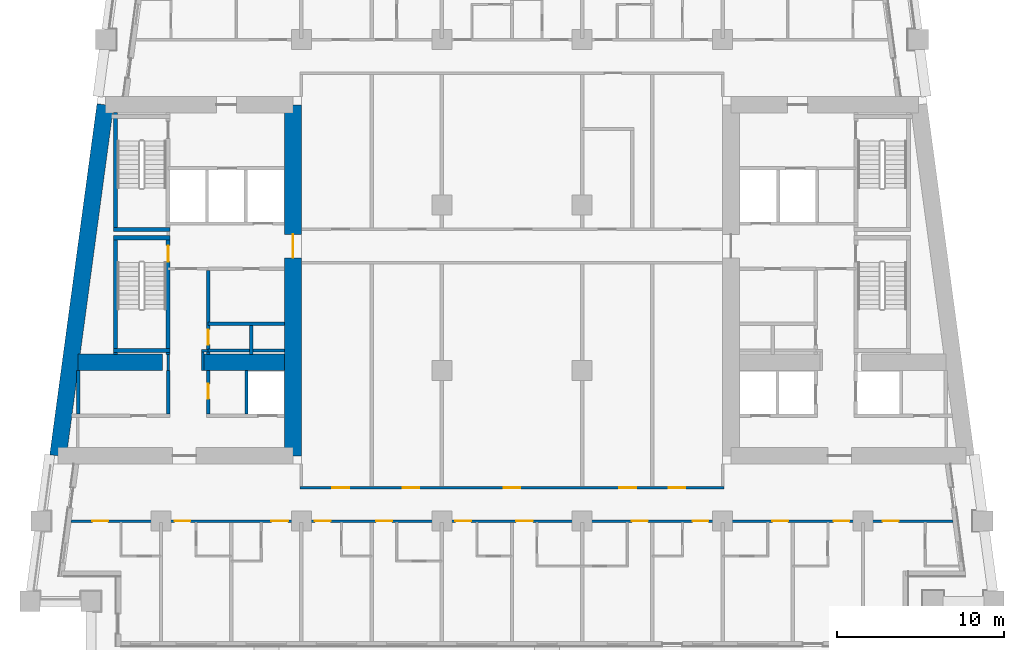
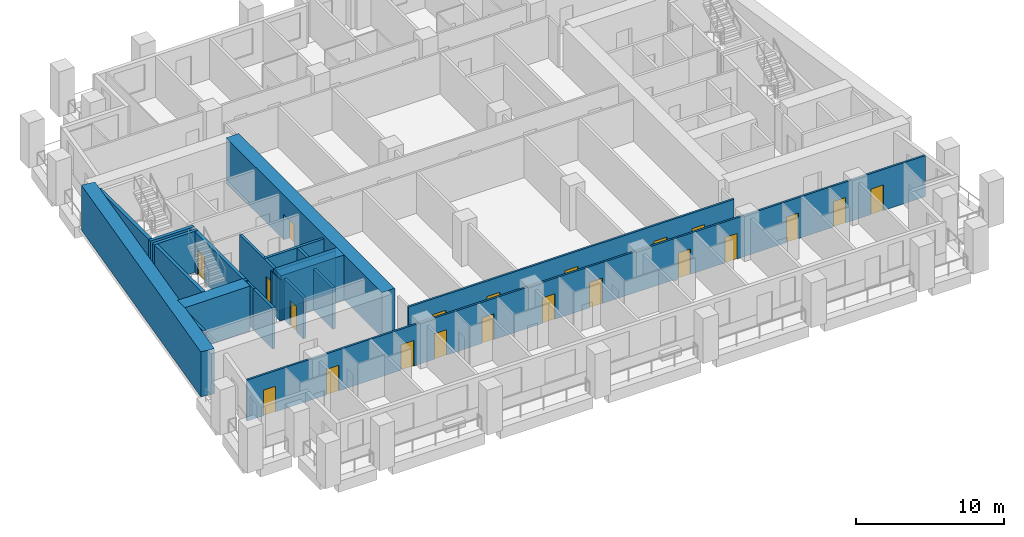
# One storey, part 4 of 14: 23 walls, 21 doors, 21 openings.
"""IFC4 building model written with IfcOpenShell, lengths in metres."""

from ifc_helpers import new_model, si_unit, direction, frame, frame_2d, origin, place, context, subcontext, project, spatial, rectangle, extrude, material, layer, layer_set, type_object, element, fill, save


model = new_model("IFC4")

# Units and contexts
model_context = context("Model", 3, precision=1e-05, world=origin(), true_north=direction((0.0, 1.0)))
body_context = subcontext(model_context, "Body", "Model", "MODEL_VIEW")
ifc_project = project(units=[si_unit("LENGTHUNIT", "METRE"), si_unit("AREAUNIT", "SQUARE_METRE"), si_unit("VOLUMEUNIT", "CUBIC_METRE"), si_unit("PLANEANGLEUNIT", "RADIAN"), si_unit("MASSUNIT", "GRAM", prefix="KILO")], contexts=[model_context])

# Site, building, storey
site_placement = place(None, origin())
site = spatial("IfcSite", under=ifc_project, at=site_placement, CompositionType="ELEMENT")
building_placement = place(site_placement, origin())
building = spatial("IfcBuilding", under=site, at=building_placement, Name="Candeia Pilgrim Tower and Theatre", CompositionType="ELEMENT")
storey_placement = place(building_placement, frame((0.0, 0.0, 124.300048828125)))
storey = spatial("IfcBuildingStorey", under=building, at=storey_placement, Name="L29", CompositionType="ELEMENT", Elevation=124.300048828125)

# Wall, opening, door
ifc_material_1 = material(Name="Concrete C70/85", Category="concrete")
ifc_layer_1 = layer(ifc_material_1, 1.0)
ifc_layer_set_1 = layer_set([ifc_layer_1], Name="Core wall 1000 C70/85")
wall_type_1 = type_object("IfcWallType", Name="Core wall 1000 C70/85", PredefinedType="SHEAR", material=ifc_layer_set_1)
wall_1_placement = place(storey_placement, frame((100.300048828125, 131.89990234375, 0.0), z_axis=(0.0, 0.0, 1.0), x_axis=(0.0, -1.0, 0.0)))
wall_1 = element("IfcWall", 1, at=wall_1_placement, inside=storey, type_object=wall_type_1, Name="Core wall W2", PredefinedType="SHEAR", context=body_context, shape_type="SweptSolid", body=[
    extrude(rectangle(XDim=21.0, YDim=1.0, at=frame_2d((10.5, 0.0))), origin(), (0.0, 0.0, 1.0), 3.699951171875),
])
opening_1_placement = place(wall_1_placement, frame((7.75, 0.0, 0.0)))
opening_1 = element("IfcOpeningElement", 2, at=opening_1_placement, cuts=wall_1, Name="Opening L29-D068", PredefinedType="OPENING", context=body_context, shape_type="SweptSolid", body=[
    extrude(rectangle(XDim=1.39990234375, YDim=2.10009765625, at=frame_2d((0.699951171875, 1.050048828125))), frame((0.0, 0.510009765625, 0.0), z_axis=(0.0, -1.0, 0.0), x_axis=(1.0, 0.0, 0.0)), (0.0, 0.0, 1.0), 1.02001953125),
])
ifc_material_2 = material(Name="Steel fire door set", Category="steel")
door_type_1 = type_object("IfcDoorType", Name="D-1400-FD60", OperationType="NOTDEFINED", PredefinedType="DOOR", material=ifc_material_2)
door_1_placement = place(opening_1_placement, origin())
door_1 = element("IfcDoor", 3, at=door_1_placement, inside=storey, type_object=door_type_1, Name="Door L29-D068", OperationType="SINGLE_SWING_LEFT", OverallHeight=2.10009765625, OverallWidth=1.39990234375, PredefinedType="DOOR", context=body_context, shape_type="SweptSolid", body=[
    extrude(rectangle(XDim=1.39990234375, YDim=2.10009765625, at=frame_2d((0.699951171875, 1.050048828125))), frame((0.0, 0.02490234375, 0.0), z_axis=(0.0, -1.0, 0.0), x_axis=(1.0, 0.0, 0.0)), (0.0, 0.0, 1.0), 0.050048828125),
])
fill(opening_1, door_1)

# Walls
wall_2_placement = place(storey_placement, frame((86.240966796875, 110.89990234375, 0.0), z_axis=(0.0, 0.0, 1.0), x_axis=(0.133411141623, 0.991060778808, 0.0)))
element("IfcWall", 4, at=wall_2_placement, inside=storey, type_object=wall_type_1, Name="Core wall W4", PredefinedType="SHEAR", context=body_context, shape_type="SweptSolid", body=[
    extrude(rectangle(XDim=21.189453125, YDim=1.0, at=frame_2d((10.5947265625, 0.0))), origin(), (0.0, 0.0, 1.0), 3.699951171875),
])
wall_3_placement = place(storey_placement, frame((87.423095703125, 116.5, 0.0), z_axis=(0.0, 0.0, 1.0), x_axis=(1.0, 0.0, 0.0)))
element("IfcWall", 5, at=wall_3_placement, inside=storey, type_object=wall_type_1, Name="Core wall W5", PredefinedType="SHEAR", context=body_context, shape_type="SweptSolid", body=[
    extrude(rectangle(XDim=5.076904296875, YDim=1.0, at=frame_2d((2.53857421875, 0.0))), origin(), (0.0, 0.0, 1.0), 3.699951171875),
])
wall_4_placement = place(storey_placement, frame((94.89990234375, 116.5, 0.0), z_axis=(0.0, 0.0, 1.0), x_axis=(1.0, 0.0, 0.0)))
element("IfcWall", 6, at=wall_4_placement, inside=storey, type_object=wall_type_1, Name="Core wall W6", PredefinedType="SHEAR", context=body_context, shape_type="SweptSolid", body=[
    extrude(rectangle(XDim=4.900146484375, YDim=1.0, at=frame_2d((2.4501953125, 0.0))), origin(), (0.0, 0.0, 1.0), 3.699951171875),
])
ifc_material_3 = material(Name="Gypsum board partition on steel studs", Category="steel")
ifc_layer_2 = layer(ifc_material_3, 0.14990234375)
ifc_layer_set_2 = layer_set([ifc_layer_2], Name="PW-150 lobby wall")
wall_type_2 = type_object("IfcWallType", Name="PW-150 lobby wall", PredefinedType="PARTITIONING", material=ifc_layer_set_2)
wall_5_placement = place(storey_placement, frame((94.824951171875, 117.199951171875, 0.0), z_axis=(0.0, 0.0, 1.0), x_axis=(1.0, 0.0, 0.0)))
element("IfcWall", 7, at=wall_5_placement, inside=storey, type_object=wall_type_2, Name="Lobby wall L29-020", PredefinedType="PARTITIONING", context=body_context, shape_type="SweptSolid", body=[
    extrude(rectangle(XDim=0.402099609375, YDim=0.14990234375, at=frame_2d((0.201171875, 0.0))), origin(), (0.0, 0.0, 1.0), 3.3798828125),
])
wall_6_placement = place(storey_placement, frame((92.826904296875, 116.0, 0.0), z_axis=(0.0, 0.0, 1.0), x_axis=(0.0, 1.0, 0.0)))
element("IfcWall", 8, at=wall_6_placement, inside=storey, type_object=wall_type_2, Name="Lobby wall L29-061", PredefinedType="PARTITIONING", context=body_context, shape_type="SweptSolid", body=[
    extrude(rectangle(XDim=0.969970703125, YDim=0.14990234375, at=frame_2d((0.48486328125, 0.0))), origin(), (0.0, 0.0, 1.0), 3.3798828125),
])
wall_7_placement = place(storey_placement, frame((94.89990234375, 116.0, 0.0), z_axis=(0.0, 0.0, 1.0), x_axis=(0.0, 1.0, 0.0)))
element("IfcWall", 9, at=wall_7_placement, inside=storey, type_object=wall_type_2, Name="Lobby wall L29-067", PredefinedType="PARTITIONING", context=body_context, shape_type="SweptSolid", body=[
    extrude(rectangle(XDim=1.125, YDim=0.14990234375, at=frame_2d((0.5625, 0.0))), origin(), (0.0, 0.0, 1.0), 3.3798828125),
])

# Wall, openings, doors
ifc_layer_3 = layer(ifc_material_3, 0.14990234375)
ifc_layer_set_3 = layer_set([ifc_layer_3], Name="PW-150 unit wall")
wall_type_3 = type_object("IfcWallType", Name="PW-150 unit wall", PredefinedType="PARTITIONING", material=ifc_layer_set_3)
wall_8_placement = place(storey_placement, frame((87.017578125, 107.0, 0.0), z_axis=(0.0, 0.0, 1.0), x_axis=(1.0, 0.0, 0.0)))
wall_8 = element("IfcWall", 10, at=wall_8_placement, inside=storey, type_object=wall_type_3, Name="Unit wall L29-012", PredefinedType="PARTITIONING", context=body_context, shape_type="SweptSolid", body=[
    extrude(rectangle(XDim=52.7646484375, YDim=0.14990234375, at=frame_2d((26.38232421875, 0.0))), origin(), (0.0, 0.0, 1.0), 3.3798828125),
])
opening_2_placement = place(wall_8_placement, frame((1.2763671875, 0.0, 0.0)))
opening_2 = element("IfcOpeningElement", 11, at=opening_2_placement, cuts=wall_8, Name="Opening L29-D014", PredefinedType="OPENING", context=body_context, shape_type="SweptSolid", body=[
    extrude(rectangle(XDim=0.949951171875, YDim=2.10009765625, at=frame_2d((0.47509765625, 1.050048828125))), frame((0.0, 0.0849609375, 0.0), z_axis=(0.0, -1.0, 0.0), x_axis=(1.0, 0.0, 0.0)), (0.0, 0.0, 1.0), 0.169921875),
])
opening_3_placement = place(wall_8_placement, frame((6.1923828125, 0.0, 0.0)))
opening_3 = element("IfcOpeningElement", 12, at=opening_3_placement, cuts=wall_8, Name="Opening L29-D016", PredefinedType="OPENING", context=body_context, shape_type="SweptSolid", body=[
    extrude(rectangle(XDim=0.949951171875, YDim=2.10009765625, at=frame_2d((0.47509765625, 1.050048828125))), frame((0.0, 0.0849609375, 0.0), z_axis=(0.0, -1.0, 0.0), x_axis=(1.0, 0.0, 0.0)), (0.0, 0.0, 1.0), 0.169921875),
])
opening_4_placement = place(wall_8_placement, frame((11.982421875, 0.0, 0.0)))
opening_4 = element("IfcOpeningElement", 13, at=opening_4_placement, cuts=wall_8, Name="Opening L29-D018", PredefinedType="OPENING", context=body_context, shape_type="SweptSolid", body=[
    extrude(rectangle(XDim=1.0, YDim=2.10009765625, at=frame_2d((0.5, 1.050048828125))), frame((0.0, 0.0849609375, 0.0), z_axis=(0.0, -1.0, 0.0), x_axis=(1.0, 0.0, 0.0)), (0.0, 0.0, 1.0), 0.169921875),
])
opening_5_placement = place(wall_8_placement, frame((14.582275390625, 0.0, 0.0)))
opening_5 = element("IfcOpeningElement", 14, at=opening_5_placement, cuts=wall_8, Name="Opening L29-D020", PredefinedType="OPENING", context=body_context, shape_type="SweptSolid", body=[
    extrude(rectangle(XDim=0.949951171875, YDim=2.10009765625, at=frame_2d((0.47509765625, 1.050048828125))), frame((0.0, 0.0849609375, 0.0), z_axis=(0.0, -1.0, 0.0), x_axis=(1.0, 0.0, 0.0)), (0.0, 0.0, 1.0), 0.169921875),
])
opening_6_placement = place(wall_8_placement, frame((18.25732421875, 0.0, 0.0)))
opening_6 = element("IfcOpeningElement", 15, at=opening_6_placement, cuts=wall_8, Name="Opening L29-D022", PredefinedType="OPENING", context=body_context, shape_type="SweptSolid", body=[
    extrude(rectangle(XDim=0.949951171875, YDim=2.10009765625, at=frame_2d((0.47509765625, 1.050048828125))), frame((0.0, 0.0849609375, 0.0), z_axis=(0.0, -1.0, 0.0), x_axis=(1.0, 0.0, 0.0)), (0.0, 0.0, 1.0), 0.169921875),
])
opening_7_placement = place(wall_8_placement, frame((22.9921875, 0.0, 0.0)))
opening_7 = element("IfcOpeningElement", 16, at=opening_7_placement, cuts=wall_8, Name="Opening L29-D024", PredefinedType="OPENING", context=body_context, shape_type="SweptSolid", body=[
    extrude(rectangle(XDim=0.949951171875, YDim=2.10009765625, at=frame_2d((0.47509765625, 1.050048828125))), frame((0.0, 0.0849609375, 0.0), z_axis=(0.0, -1.0, 0.0), x_axis=(1.0, 0.0, 0.0)), (0.0, 0.0, 1.0), 0.169921875),
])
opening_8_placement = place(wall_8_placement, frame((26.63232421875, 0.0, 0.0)))
opening_8 = element("IfcOpeningElement", 17, at=opening_8_placement, cuts=wall_8, Name="Opening L29-D026", PredefinedType="OPENING", context=body_context, shape_type="SweptSolid", body=[
    extrude(rectangle(XDim=1.0, YDim=2.10009765625, at=frame_2d((0.5, 1.050048828125))), frame((0.0, 0.0849609375, 0.0), z_axis=(0.0, -1.0, 0.0), x_axis=(1.0, 0.0, 0.0)), (0.0, 0.0, 1.0), 0.169921875),
])
opening_9_placement = place(wall_8_placement, frame((33.557373046875, 0.0, 0.0)))
opening_9 = element("IfcOpeningElement", 18, at=opening_9_placement, cuts=wall_8, Name="Opening L29-D028", PredefinedType="OPENING", context=body_context, shape_type="SweptSolid", body=[
    extrude(rectangle(XDim=0.949951171875, YDim=2.10009765625, at=frame_2d((0.47509765625, 1.050048828125))), frame((0.0, 0.0849609375, 0.0), z_axis=(0.0, -1.0, 0.0), x_axis=(1.0, 0.0, 0.0)), (0.0, 0.0, 1.0), 0.169921875),
])
opening_10_placement = place(wall_8_placement, frame((37.182373046875, 0.0, 0.0)))
opening_10 = element("IfcOpeningElement", 19, at=opening_10_placement, cuts=wall_8, Name="Opening L29-D030", PredefinedType="OPENING", context=body_context, shape_type="SweptSolid", body=[
    extrude(rectangle(XDim=0.949951171875, YDim=2.10009765625, at=frame_2d((0.47509765625, 1.050048828125))), frame((0.0, 0.0849609375, 0.0), z_axis=(0.0, -1.0, 0.0), x_axis=(1.0, 0.0, 0.0)), (0.0, 0.0, 1.0), 0.169921875),
])
opening_11_placement = place(wall_8_placement, frame((41.957275390625, 0.0, 0.0)))
opening_11 = element("IfcOpeningElement", 20, at=opening_11_placement, cuts=wall_8, Name="Opening L29-D032", PredefinedType="OPENING", context=body_context, shape_type="SweptSolid", body=[
    extrude(rectangle(XDim=0.949951171875, YDim=2.10009765625, at=frame_2d((0.47509765625, 1.050048828125))), frame((0.0, 0.0849609375, 0.0), z_axis=(0.0, -1.0, 0.0), x_axis=(1.0, 0.0, 0.0)), (0.0, 0.0, 1.0), 0.169921875),
])
opening_12_placement = place(wall_8_placement, frame((45.622314453125, 0.0, 0.0)))
opening_12 = element("IfcOpeningElement", 21, at=opening_12_placement, cuts=wall_8, Name="Opening L29-D034", PredefinedType="OPENING", context=body_context, shape_type="SweptSolid", body=[
    extrude(rectangle(XDim=0.949951171875, YDim=2.10009765625, at=frame_2d((0.47509765625, 1.050048828125))), frame((0.0, 0.0849609375, 0.0), z_axis=(0.0, -1.0, 0.0), x_axis=(1.0, 0.0, 0.0)), (0.0, 0.0, 1.0), 0.169921875),
])
opening_13_placement = place(wall_8_placement, frame((48.560302734375, 0.0, 0.0)))
opening_13 = element("IfcOpeningElement", 22, at=opening_13_placement, cuts=wall_8, Name="Opening L29-D036", PredefinedType="OPENING", context=body_context, shape_type="SweptSolid", body=[
    extrude(rectangle(XDim=0.949951171875, YDim=2.10009765625, at=frame_2d((0.47509765625, 1.050048828125))), frame((0.0, 0.0849609375, 0.0), z_axis=(0.0, -1.0, 0.0), x_axis=(1.0, 0.0, 0.0)), (0.0, 0.0, 1.0), 0.169921875),
])
door_type_2 = type_object("IfcDoorType", Name="D-1000-FD30S", OperationType="NOTDEFINED", PredefinedType="DOOR", material=ifc_material_2)
door_2_placement = place(opening_4_placement, origin())
door_2 = element("IfcDoor", 23, at=door_2_placement, inside=storey, type_object=door_type_2, Name="Door L29-D018", OperationType="SINGLE_SWING_LEFT", OverallHeight=2.10009765625, OverallWidth=1.0, PredefinedType="DOOR", context=body_context, shape_type="SweptSolid", body=[
    extrude(rectangle(XDim=1.0, YDim=2.10009765625, at=frame_2d((0.5, 1.050048828125))), frame((0.0, 0.02490234375, 0.0), z_axis=(0.0, -1.0, 0.0), x_axis=(1.0, 0.0, 0.0)), (0.0, 0.0, 1.0), 0.050048828125),
])
fill(opening_4, door_2)
door_3_placement = place(opening_8_placement, origin())
door_3 = element("IfcDoor", 24, at=door_3_placement, inside=storey, type_object=door_type_2, Name="Door L29-D026", OperationType="SINGLE_SWING_LEFT", OverallHeight=2.10009765625, OverallWidth=1.0, PredefinedType="DOOR", context=body_context, shape_type="SweptSolid", body=[
    extrude(rectangle(XDim=1.0, YDim=2.10009765625, at=frame_2d((0.5, 1.050048828125))), frame((0.0, 0.02490234375, 0.0), z_axis=(0.0, -1.0, 0.0), x_axis=(1.0, 0.0, 0.0)), (0.0, 0.0, 1.0), 0.050048828125),
])
fill(opening_8, door_3)
door_type_3 = type_object("IfcDoorType", Name="D-950-FD30S", OperationType="NOTDEFINED", PredefinedType="DOOR", material=ifc_material_2)
door_4_placement = place(opening_2_placement, origin())
door_4 = element("IfcDoor", 25, at=door_4_placement, inside=storey, type_object=door_type_3, Name="Door L29-D014", OperationType="SINGLE_SWING_LEFT", OverallHeight=2.10009765625, OverallWidth=0.949951171875, PredefinedType="DOOR", context=body_context, shape_type="SweptSolid", body=[
    extrude(rectangle(XDim=0.949951171875, YDim=2.10009765625, at=frame_2d((0.47509765625, 1.050048828125))), frame((0.0, 0.02490234375, 0.0), z_axis=(0.0, -1.0, 0.0), x_axis=(1.0, 0.0, 0.0)), (0.0, 0.0, 1.0), 0.050048828125),
])
fill(opening_2, door_4)
door_5_placement = place(opening_3_placement, origin())
door_5 = element("IfcDoor", 26, at=door_5_placement, inside=storey, type_object=door_type_3, Name="Door L29-D016", OperationType="SINGLE_SWING_LEFT", OverallHeight=2.10009765625, OverallWidth=0.949951171875, PredefinedType="DOOR", context=body_context, shape_type="SweptSolid", body=[
    extrude(rectangle(XDim=0.949951171875, YDim=2.10009765625, at=frame_2d((0.47509765625, 1.050048828125))), frame((0.0, 0.02490234375, 0.0), z_axis=(0.0, -1.0, 0.0), x_axis=(1.0, 0.0, 0.0)), (0.0, 0.0, 1.0), 0.050048828125),
])
fill(opening_3, door_5)
door_6_placement = place(opening_5_placement, origin())
door_6 = element("IfcDoor", 27, at=door_6_placement, inside=storey, type_object=door_type_3, Name="Door L29-D020", OperationType="SINGLE_SWING_LEFT", OverallHeight=2.10009765625, OverallWidth=0.949951171875, PredefinedType="DOOR", context=body_context, shape_type="SweptSolid", body=[
    extrude(rectangle(XDim=0.949951171875, YDim=2.10009765625, at=frame_2d((0.47509765625, 1.050048828125))), frame((0.0, 0.02490234375, 0.0), z_axis=(0.0, -1.0, 0.0), x_axis=(1.0, 0.0, 0.0)), (0.0, 0.0, 1.0), 0.050048828125),
])
fill(opening_5, door_6)
door_7_placement = place(opening_6_placement, origin())
door_7 = element("IfcDoor", 28, at=door_7_placement, inside=storey, type_object=door_type_3, Name="Door L29-D022", OperationType="SINGLE_SWING_LEFT", OverallHeight=2.10009765625, OverallWidth=0.949951171875, PredefinedType="DOOR", context=body_context, shape_type="SweptSolid", body=[
    extrude(rectangle(XDim=0.949951171875, YDim=2.10009765625, at=frame_2d((0.47509765625, 1.050048828125))), frame((0.0, 0.02490234375, 0.0), z_axis=(0.0, -1.0, 0.0), x_axis=(1.0, 0.0, 0.0)), (0.0, 0.0, 1.0), 0.050048828125),
])
fill(opening_6, door_7)
door_8_placement = place(opening_7_placement, origin())
door_8 = element("IfcDoor", 29, at=door_8_placement, inside=storey, type_object=door_type_3, Name="Door L29-D024", OperationType="SINGLE_SWING_LEFT", OverallHeight=2.10009765625, OverallWidth=0.949951171875, PredefinedType="DOOR", context=body_context, shape_type="SweptSolid", body=[
    extrude(rectangle(XDim=0.949951171875, YDim=2.10009765625, at=frame_2d((0.47509765625, 1.050048828125))), frame((0.0, 0.02490234375, 0.0), z_axis=(0.0, -1.0, 0.0), x_axis=(1.0, 0.0, 0.0)), (0.0, 0.0, 1.0), 0.050048828125),
])
fill(opening_7, door_8)
door_9_placement = place(opening_9_placement, origin())
door_9 = element("IfcDoor", 30, at=door_9_placement, inside=storey, type_object=door_type_3, Name="Door L29-D028", OperationType="SINGLE_SWING_LEFT", OverallHeight=2.10009765625, OverallWidth=0.949951171875, PredefinedType="DOOR", context=body_context, shape_type="SweptSolid", body=[
    extrude(rectangle(XDim=0.949951171875, YDim=2.10009765625, at=frame_2d((0.47509765625, 1.050048828125))), frame((0.0, 0.02490234375, 0.0), z_axis=(0.0, -1.0, 0.0), x_axis=(1.0, 0.0, 0.0)), (0.0, 0.0, 1.0), 0.050048828125),
])
fill(opening_9, door_9)
door_10_placement = place(opening_10_placement, origin())
door_10 = element("IfcDoor", 31, at=door_10_placement, inside=storey, type_object=door_type_3, Name="Door L29-D030", OperationType="SINGLE_SWING_LEFT", OverallHeight=2.10009765625, OverallWidth=0.949951171875, PredefinedType="DOOR", context=body_context, shape_type="SweptSolid", body=[
    extrude(rectangle(XDim=0.949951171875, YDim=2.10009765625, at=frame_2d((0.47509765625, 1.050048828125))), frame((0.0, 0.02490234375, 0.0), z_axis=(0.0, -1.0, 0.0), x_axis=(1.0, 0.0, 0.0)), (0.0, 0.0, 1.0), 0.050048828125),
])
fill(opening_10, door_10)
door_11_placement = place(opening_11_placement, origin())
door_11 = element("IfcDoor", 32, at=door_11_placement, inside=storey, type_object=door_type_3, Name="Door L29-D032", OperationType="SINGLE_SWING_LEFT", OverallHeight=2.10009765625, OverallWidth=0.949951171875, PredefinedType="DOOR", context=body_context, shape_type="SweptSolid", body=[
    extrude(rectangle(XDim=0.949951171875, YDim=2.10009765625, at=frame_2d((0.47509765625, 1.050048828125))), frame((0.0, 0.02490234375, 0.0), z_axis=(0.0, -1.0, 0.0), x_axis=(1.0, 0.0, 0.0)), (0.0, 0.0, 1.0), 0.050048828125),
])
fill(opening_11, door_11)
door_12_placement = place(opening_12_placement, origin())
door_12 = element("IfcDoor", 33, at=door_12_placement, inside=storey, type_object=door_type_3, Name="Door L29-D034", OperationType="SINGLE_SWING_LEFT", OverallHeight=2.10009765625, OverallWidth=0.949951171875, PredefinedType="DOOR", context=body_context, shape_type="SweptSolid", body=[
    extrude(rectangle(XDim=0.949951171875, YDim=2.10009765625, at=frame_2d((0.47509765625, 1.050048828125))), frame((0.0, 0.02490234375, 0.0), z_axis=(0.0, -1.0, 0.0), x_axis=(1.0, 0.0, 0.0)), (0.0, 0.0, 1.0), 0.050048828125),
])
fill(opening_12, door_12)
door_13_placement = place(opening_13_placement, origin())
door_13 = element("IfcDoor", 34, at=door_13_placement, inside=storey, type_object=door_type_3, Name="Door L29-D036", OperationType="SINGLE_SWING_LEFT", OverallHeight=2.10009765625, OverallWidth=0.949951171875, PredefinedType="DOOR", context=body_context, shape_type="SweptSolid", body=[
    extrude(rectangle(XDim=0.949951171875, YDim=2.10009765625, at=frame_2d((0.47509765625, 1.050048828125))), frame((0.0, 0.02490234375, 0.0), z_axis=(0.0, -1.0, 0.0), x_axis=(1.0, 0.0, 0.0)), (0.0, 0.0, 1.0), 0.050048828125),
])
fill(opening_13, door_13)

wall_9_placement = place(storey_placement, frame((100.72509765625, 109.0, 0.0), z_axis=(0.0, 0.0, 1.0), x_axis=(1.0, 0.0, 0.0)))
wall_9 = element("IfcWall", 35, at=wall_9_placement, inside=storey, type_object=wall_type_3, Name="Unit wall L29-013", PredefinedType="PARTITIONING", context=body_context, shape_type="SweptSolid", body=[
    extrude(rectangle(XDim=25.349853515625, YDim=0.14990234375, at=frame_2d((12.6748046875, 0.0))), origin(), (0.0, 0.0, 1.0), 3.3798828125),
])
opening_14_placement = place(wall_9_placement, frame((1.925048828125, 0.0, 0.0)))
opening_14 = element("IfcOpeningElement", 36, at=opening_14_placement, cuts=wall_9, Name="Opening L29-D056", PredefinedType="OPENING", context=body_context, shape_type="SweptSolid", body=[
    extrude(rectangle(XDim=1.0, YDim=2.10009765625, at=frame_2d((0.5, 1.050048828125))), frame((0.0, 0.0849609375, 0.0), z_axis=(0.0, -1.0, 0.0), x_axis=(1.0, 0.0, 0.0)), (0.0, 0.0, 1.0), 0.169921875),
])
opening_15_placement = place(wall_9_placement, frame((6.125, 0.0, 0.0)))
opening_15 = element("IfcOpeningElement", 37, at=opening_15_placement, cuts=wall_9, Name="Opening L29-D057", PredefinedType="OPENING", context=body_context, shape_type="SweptSolid", body=[
    extrude(rectangle(XDim=1.0, YDim=2.10009765625, at=frame_2d((0.5, 1.050048828125))), frame((0.0, 0.0849609375, 0.0), z_axis=(0.0, -1.0, 0.0), x_axis=(1.0, 0.0, 0.0)), (0.0, 0.0, 1.0), 0.169921875),
])
opening_16_placement = place(wall_9_placement, frame((12.175048828125, 0.0, 0.0)))
opening_16 = element("IfcOpeningElement", 38, at=opening_16_placement, cuts=wall_9, Name="Opening L29-D058", PredefinedType="OPENING", context=body_context, shape_type="SweptSolid", body=[
    extrude(rectangle(XDim=1.0, YDim=2.10009765625, at=frame_2d((0.5, 1.050048828125))), frame((0.0, 0.0849609375, 0.0), z_axis=(0.0, -1.0, 0.0), x_axis=(1.0, 0.0, 0.0)), (0.0, 0.0, 1.0), 0.169921875),
])
opening_17_placement = place(wall_9_placement, frame((19.10009765625, 0.0, 0.0)))
opening_17 = element("IfcOpeningElement", 39, at=opening_17_placement, cuts=wall_9, Name="Opening L29-D059", PredefinedType="OPENING", context=body_context, shape_type="SweptSolid", body=[
    extrude(rectangle(XDim=1.0, YDim=2.10009765625, at=frame_2d((0.5, 1.050048828125))), frame((0.0, 0.0849609375, 0.0), z_axis=(0.0, -1.0, 0.0), x_axis=(1.0, 0.0, 0.0)), (0.0, 0.0, 1.0), 0.169921875),
])
opening_18_placement = place(wall_9_placement, frame((22.050048828125, 0.0, 0.0)))
opening_18 = element("IfcOpeningElement", 40, at=opening_18_placement, cuts=wall_9, Name="Opening L29-D060", PredefinedType="OPENING", context=body_context, shape_type="SweptSolid", body=[
    extrude(rectangle(XDim=1.0, YDim=2.10009765625, at=frame_2d((0.5, 1.050048828125))), frame((0.0, 0.0849609375, 0.0), z_axis=(0.0, -1.0, 0.0), x_axis=(1.0, 0.0, 0.0)), (0.0, 0.0, 1.0), 0.169921875),
])
door_14_placement = place(opening_14_placement, origin())
door_14 = element("IfcDoor", 41, at=door_14_placement, inside=storey, type_object=door_type_2, Name="Door L29-D056", OperationType="SINGLE_SWING_LEFT", OverallHeight=2.10009765625, OverallWidth=1.0, PredefinedType="DOOR", context=body_context, shape_type="SweptSolid", body=[
    extrude(rectangle(XDim=1.0, YDim=2.10009765625, at=frame_2d((0.5, 1.050048828125))), frame((0.0, 0.02490234375, 0.0), z_axis=(0.0, -1.0, 0.0), x_axis=(1.0, 0.0, 0.0)), (0.0, 0.0, 1.0), 0.050048828125),
])
fill(opening_14, door_14)
door_15_placement = place(opening_15_placement, origin())
door_15 = element("IfcDoor", 42, at=door_15_placement, inside=storey, type_object=door_type_2, Name="Door L29-D057", OperationType="SINGLE_SWING_RIGHT", OverallHeight=2.10009765625, OverallWidth=1.0, PredefinedType="DOOR", context=body_context, shape_type="SweptSolid", body=[
    extrude(rectangle(XDim=1.0, YDim=2.10009765625, at=frame_2d((0.5, 1.050048828125))), frame((0.0, 0.02490234375, 0.0), z_axis=(0.0, -1.0, 0.0), x_axis=(1.0, 0.0, 0.0)), (0.0, 0.0, 1.0), 0.050048828125),
])
fill(opening_15, door_15)
door_16_placement = place(opening_16_placement, origin())
door_16 = element("IfcDoor", 43, at=door_16_placement, inside=storey, type_object=door_type_2, Name="Door L29-D058", OperationType="SINGLE_SWING_LEFT", OverallHeight=2.10009765625, OverallWidth=1.0, PredefinedType="DOOR", context=body_context, shape_type="SweptSolid", body=[
    extrude(rectangle(XDim=1.0, YDim=2.10009765625, at=frame_2d((0.5, 1.050048828125))), frame((0.0, 0.02490234375, 0.0), z_axis=(0.0, -1.0, 0.0), x_axis=(1.0, 0.0, 0.0)), (0.0, 0.0, 1.0), 0.050048828125),
])
fill(opening_16, door_16)
door_17_placement = place(opening_17_placement, origin())
door_17 = element("IfcDoor", 44, at=door_17_placement, inside=storey, type_object=door_type_2, Name="Door L29-D059", OperationType="SINGLE_SWING_RIGHT", OverallHeight=2.10009765625, OverallWidth=1.0, PredefinedType="DOOR", context=body_context, shape_type="SweptSolid", body=[
    extrude(rectangle(XDim=1.0, YDim=2.10009765625, at=frame_2d((0.5, 1.050048828125))), frame((0.0, 0.02490234375, 0.0), z_axis=(0.0, -1.0, 0.0), x_axis=(1.0, 0.0, 0.0)), (0.0, 0.0, 1.0), 0.050048828125),
])
fill(opening_17, door_17)
door_18_placement = place(opening_18_placement, origin())
door_18 = element("IfcDoor", 45, at=door_18_placement, inside=storey, type_object=door_type_2, Name="Door L29-D060", OperationType="SINGLE_SWING_LEFT", OverallHeight=2.10009765625, OverallWidth=1.0, PredefinedType="DOOR", context=body_context, shape_type="SweptSolid", body=[
    extrude(rectangle(XDim=1.0, YDim=2.10009765625, at=frame_2d((0.5, 1.050048828125))), frame((0.0, 0.02490234375, 0.0), z_axis=(0.0, -1.0, 0.0), x_axis=(1.0, 0.0, 0.0)), (0.0, 0.0, 1.0), 0.050048828125),
])
fill(opening_18, door_18)

# Walls
ifc_material_4 = material(Name="Concrete C40/50", Category="concrete")
ifc_layer_4 = layer(ifc_material_4, 0.199951171875)
ifc_layer_set_4 = layer_set([ifc_layer_4], Name="SW-200 shaft wall")
wall_type_4 = type_object("IfcWallType", Name="SW-200 shaft wall", PredefinedType="PARTITIONING", material=ifc_layer_set_4)
for number, where, z_axis, x_axis, name in (
    (46, (95.22705078125, 117.199951171875, 0.0), (0.0, 0.0, 1.0), (1.0, 0.0, 0.0), "Shaft wall L29-018"),
    (47, (95.22705078125, 118.800048828125, 0.0), (0.0, 0.0, 1.0), (1.0, 0.0, 0.0), "Shaft wall L29-024"),
):
    element("IfcWall", number, at=place(storey_placement, frame(where, z_axis=z_axis, x_axis=x_axis)), inside=storey, type_object=wall_type_4, Name=name, PredefinedType="PARTITIONING", context=body_context, shape_type="SweptSolid", body=[
        extrude(rectangle(XDim=4.572998046875, YDim=0.199951171875, at=frame_2d((2.28662109375, 0.0))), origin(), (0.0, 0.0, 1.0), 3.3798828125),
    ])
for number, where, z_axis, x_axis, name in (
    (48, (87.451171875, 113.39990234375, 0.0), (0.0, 0.0, 1.0), (0.0, 1.0, 0.0), "Shaft wall L29-054"),
    (49, (92.826904296875, 113.39990234375, 0.0), (0.0, 0.0, 1.0), (0.0, 1.0, 0.0), "Shaft wall L29-060"),
):
    element("IfcWall", number, at=place(storey_placement, frame(where, z_axis=z_axis, x_axis=x_axis)), inside=storey, type_object=wall_type_4, Name=name, PredefinedType="PARTITIONING", context=body_context, shape_type="SweptSolid", body=[
        extrude(rectangle(XDim=2.60009765625, YDim=0.199951171875, at=frame_2d((1.300048828125, 0.0))), origin(), (0.0, 0.0, 1.0), 3.3798828125),
    ])

# Wall, opening, door
wall_10_placement = place(storey_placement, frame((95.22705078125, 113.39990234375, 0.0), z_axis=(0.0, 0.0, 1.0), x_axis=(0.0, 1.0, 0.0)))
wall_10 = element("IfcWall", 50, at=wall_10_placement, inside=storey, type_object=wall_type_4, Name="Shaft wall L29-069", PredefinedType="PARTITIONING", context=body_context, shape_type="SweptSolid", body=[
    extrude(rectangle(XDim=2.60009765625, YDim=0.199951171875, at=frame_2d((1.300048828125, 0.0))), origin(), (0.0, 0.0, 1.0), 3.3798828125),
])
opening_19_placement = place(wall_10_placement, frame((0.909912109375, 0.0, 0.0)))
opening_19 = element("IfcOpeningElement", 51, at=opening_19_placement, cuts=wall_10, Name="Opening L29-D007", PredefinedType="OPENING", context=body_context, shape_type="SweptSolid", body=[
    extrude(rectangle(XDim=0.89990234375, YDim=2.10009765625, at=frame_2d((0.449951171875, 1.050048828125))), frame((0.0, 0.10986328125, 0.0), z_axis=(0.0, -1.0, 0.0), x_axis=(1.0, 0.0, 0.0)), (0.0, 0.0, 1.0), 0.219970703125),
])
door_type_4 = type_object("IfcDoorType", Name="D-900-FD60", OperationType="NOTDEFINED", PredefinedType="DOOR", material=ifc_material_2)
door_19_placement = place(opening_19_placement, origin())
door_19 = element("IfcDoor", 52, at=door_19_placement, inside=storey, type_object=door_type_4, Name="Door L29-D007", OperationType="SINGLE_SWING_LEFT", OverallHeight=2.10009765625, OverallWidth=0.89990234375, PredefinedType="DOOR", context=body_context, shape_type="SweptSolid", body=[
    extrude(rectangle(XDim=0.89990234375, YDim=2.10009765625, at=frame_2d((0.449951171875, 1.050048828125))), frame((0.0, 0.02490234375, 0.0), z_axis=(0.0, -1.0, 0.0), x_axis=(1.0, 0.0, 0.0)), (0.0, 0.0, 1.0), 0.050048828125),
])
fill(opening_19, door_19)

wall_11_placement = place(storey_placement, frame((95.22705078125, 116.969970703125, 0.0), z_axis=(0.0, 0.0, 1.0), x_axis=(0.0, 1.0, 0.0)))
wall_11 = element("IfcWall", 53, at=wall_11_placement, inside=storey, type_object=wall_type_4, Name="Shaft wall L29-070", PredefinedType="PARTITIONING", context=body_context, shape_type="SweptSolid", body=[
    extrude(rectangle(XDim=5.030029296875, YDim=0.199951171875, at=frame_2d((2.51513671875, 0.0))), origin(), (0.0, 0.0, 1.0), 3.3798828125),
])
opening_20_placement = place(wall_11_placement, frame((0.580078125, 0.0, 0.0)))
opening_20 = element("IfcOpeningElement", 54, at=opening_20_placement, cuts=wall_11, Name="Opening L29-D005", PredefinedType="OPENING", context=body_context, shape_type="SweptSolid", body=[
    extrude(rectangle(XDim=0.89990234375, YDim=2.10009765625, at=frame_2d((0.449951171875, 1.050048828125))), frame((0.0, 0.10986328125, 0.0), z_axis=(0.0, -1.0, 0.0), x_axis=(1.0, 0.0, 0.0)), (0.0, 0.0, 1.0), 0.219970703125),
])
door_20_placement = place(opening_20_placement, origin())
door_20 = element("IfcDoor", 55, at=door_20_placement, inside=storey, type_object=door_type_4, Name="Door L29-D005", OperationType="SINGLE_SWING_RIGHT", OverallHeight=2.10009765625, OverallWidth=0.89990234375, PredefinedType="DOOR", context=body_context, shape_type="SweptSolid", body=[
    extrude(rectangle(XDim=0.89990234375, YDim=2.10009765625, at=frame_2d((0.449951171875, 1.050048828125))), frame((0.0, 0.02490234375, 0.0), z_axis=(0.0, -1.0, 0.0), x_axis=(1.0, 0.0, 0.0)), (0.0, 0.0, 1.0), 0.050048828125),
])
fill(opening_20, door_20)

# Walls
wall_12_placement = place(storey_placement, frame((97.513427734375, 113.39990234375, 0.0), z_axis=(0.0, 0.0, 1.0), x_axis=(0.0, 1.0, 0.0)))
element("IfcWall", 56, at=wall_12_placement, inside=storey, type_object=wall_type_4, Name="Shaft wall L29-074", PredefinedType="PARTITIONING", context=body_context, shape_type="SweptSolid", body=[
    extrude(rectangle(XDim=2.60009765625, YDim=0.199951171875, at=frame_2d((1.300048828125, 0.0))), origin(), (0.0, 0.0, 1.0), 3.3798828125),
])
wall_13_placement = place(storey_placement, frame((97.800048828125, 116.969970703125, 0.0), z_axis=(0.0, 0.0, 1.0), x_axis=(0.0, 1.0, 0.0)))
element("IfcWall", 57, at=wall_13_placement, inside=storey, type_object=wall_type_4, Name="Shaft wall L29-075", PredefinedType="PARTITIONING", context=body_context, shape_type="SweptSolid", body=[
    extrude(rectangle(XDim=1.72998046875, YDim=0.199951171875, at=frame_2d((0.864990234375, 0.0))), origin(), (0.0, 0.0, 1.0), 3.3798828125),
])
ifc_layer_5 = layer(ifc_material_4, 0.25)
ifc_layer_set_5 = layer_set([ifc_layer_5], Name="SW-250 stair wall")
wall_type_5 = type_object("IfcWallType", Name="SW-250 stair wall", PredefinedType="PARTITIONING", material=ifc_layer_set_5)
for number, where, z_axis, x_axis, name in (
    (58, (89.552001953125, 117.199951171875, 0.0), (0.0, 0.0, 1.0), (1.0, 0.0, 0.0), "Stair wall L29-022"),
    (59, (89.552001953125, 123.949951171875, 0.0), (0.0, 0.0, 1.0), (1.0, 0.0, 0.0), "Stair wall L29-031"),
    (60, (89.552001953125, 124.449951171875, 0.0), (0.0, 0.0, 1.0), (1.0, 0.0, 0.0), "Stair wall L29-033"),
):
    element("IfcWall", number, at=place(storey_placement, frame(where, z_axis=z_axis, x_axis=x_axis)), inside=storey, type_object=wall_type_5, Name=name, PredefinedType="PARTITIONING", context=body_context, shape_type="SweptSolid", body=[
        extrude(rectangle(XDim=3.39990234375, YDim=0.25, at=frame_2d((1.699951171875, 0.0))), origin(), (0.0, 0.0, 1.0), 3.3798828125),
    ])
for number, where, z_axis, x_axis, name in (
    (61, (89.677001953125, 116.969970703125, 0.0), (0.0, 0.0, 1.0), (0.0, 1.0, 0.0), "Stair wall L29-056"),
    (62, (89.677001953125, 124.574951171875, 0.0), (0.0, 0.0, 1.0), (0.0, 1.0, 0.0), "Stair wall L29-057"),
):
    element("IfcWall", number, at=place(storey_placement, frame(where, z_axis=z_axis, x_axis=x_axis)), inside=storey, type_object=wall_type_5, Name=name, PredefinedType="PARTITIONING", context=body_context, shape_type="SweptSolid", body=[
        extrude(rectangle(XDim=6.85498046875, YDim=0.25, at=frame_2d((3.427490234375, 0.0))), origin(), (0.0, 0.0, 1.0), 3.3798828125),
    ])

# Wall, opening, door
wall_14_placement = place(storey_placement, frame((92.826904296875, 116.969970703125, 0.0), z_axis=(0.0, 0.0, 1.0), x_axis=(0.0, 1.0, 0.0)))
wall_14 = element("IfcWall", 63, at=wall_14_placement, inside=storey, type_object=wall_type_5, Name="Stair wall L29-063", PredefinedType="PARTITIONING", context=body_context, shape_type="SweptSolid", body=[
    extrude(rectangle(XDim=6.85498046875, YDim=0.25, at=frame_2d((3.427490234375, 0.0))), origin(), (0.0, 0.0, 1.0), 3.3798828125),
])
opening_21_placement = place(wall_14_placement, frame((5.554931640625, 0.0, 0.0)))
opening_21 = element("IfcOpeningElement", 64, at=opening_21_placement, cuts=wall_14, Name="Opening L29-D003", PredefinedType="OPENING", context=body_context, shape_type="SweptSolid", body=[
    extrude(rectangle(XDim=0.949951171875, YDim=2.10009765625, at=frame_2d((0.47509765625, 1.050048828125))), frame((0.0, 0.135009765625, 0.0), z_axis=(0.0, -1.0, 0.0), x_axis=(1.0, 0.0, 0.0)), (0.0, 0.0, 1.0), 0.27001953125),
])
door_type_5 = type_object("IfcDoorType", Name="D-950-FD60", OperationType="NOTDEFINED", PredefinedType="DOOR", material=ifc_material_2)
door_21_placement = place(opening_21_placement, origin())
door_21 = element("IfcDoor", 65, at=door_21_placement, inside=storey, type_object=door_type_5, Name="Door L29-D003", OperationType="SINGLE_SWING_RIGHT", OverallHeight=2.10009765625, OverallWidth=0.949951171875, PredefinedType="DOOR", context=body_context, shape_type="SweptSolid", body=[
    extrude(rectangle(XDim=0.949951171875, YDim=2.10009765625, at=frame_2d((0.47509765625, 1.050048828125))), frame((0.0, 0.02490234375, 0.0), z_axis=(0.0, -1.0, 0.0), x_axis=(1.0, 0.0, 0.0)), (0.0, 0.0, 1.0), 0.050048828125),
])
fill(opening_21, door_21)

save(model, "model.ifc")
